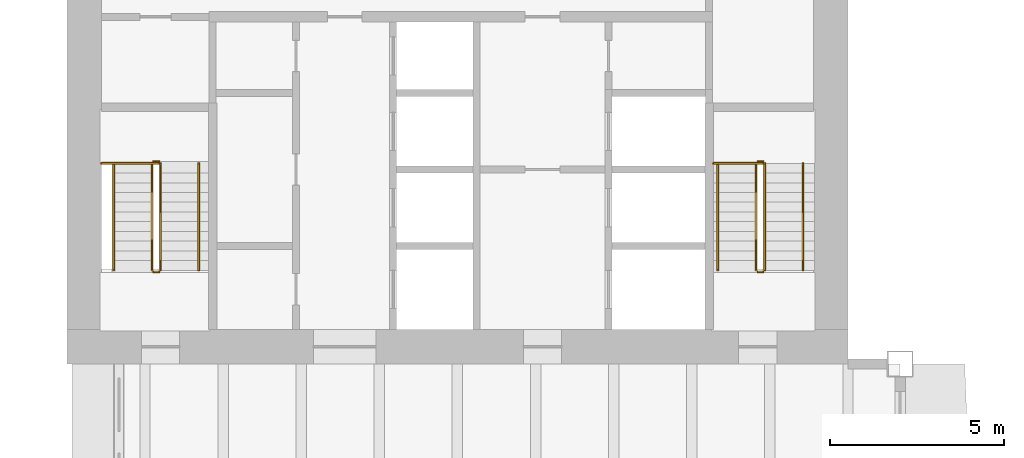
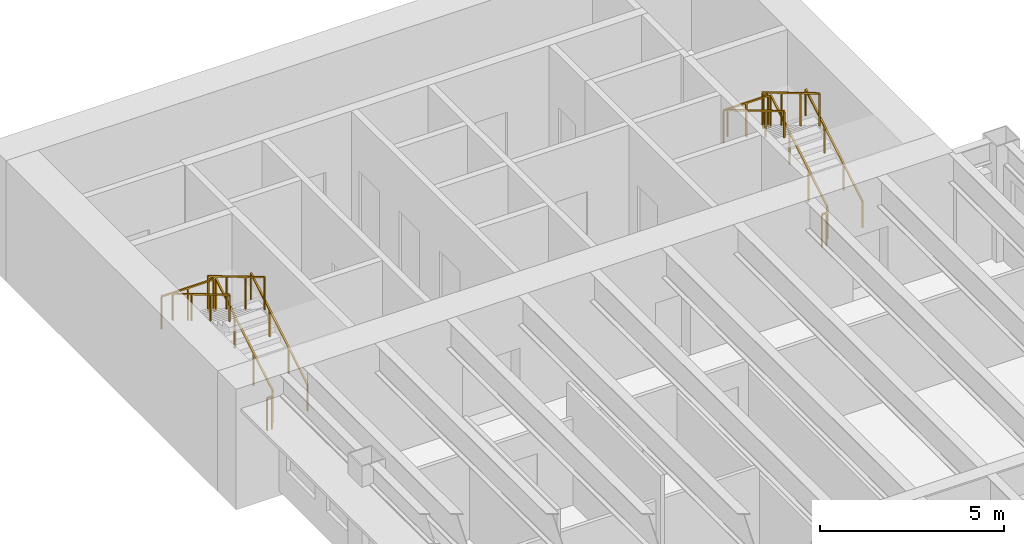
# One storey, part 16 of 16: 14 railings.
"""IFC4 building model written with IfcOpenShell, lengths in metres."""

from ifc_helpers import new_model, si_unit, direction, frame, origin, origin_2d, place, context, subcontext, project, spatial, rectangle, extrude, material, type_object, element, save


model = new_model("IFC4")

# Units and contexts
model_context = context("Model", 3, precision=1e-05, world=origin(), true_north=direction((0.0, 1.0)))
body_context = subcontext(model_context, "Body", "Model", "MODEL_VIEW")
ifc_project = project(units=[si_unit("LENGTHUNIT", "METRE"), si_unit("AREAUNIT", "SQUARE_METRE"), si_unit("VOLUMEUNIT", "CUBIC_METRE"), si_unit("PLANEANGLEUNIT", "RADIAN"), si_unit("MASSUNIT", "GRAM", prefix="KILO")], contexts=[model_context])

# Site, building, storey
site_placement = place(None, origin())
site = spatial("IfcSite", under=ifc_project, at=site_placement, CompositionType="ELEMENT")
building_placement = place(site_placement, origin())
building = spatial("IfcBuilding", under=site, at=building_placement, Name="Sennacour Bend Tower", CompositionType="ELEMENT")
storey_placement = place(building_placement, frame((0.0, 0.0, 211.0)))
storey = spatial("IfcBuildingStorey", under=building, at=storey_placement, Name="L48", CompositionType="ELEMENT", Elevation=211.0)

# Railings
ifc_material = material(Name="Stainless steel", Category="steel")
railing_type_1 = type_object("IfcRailingType", Name="RL-GUARD-1100", PredefinedType="GUARDRAIL", material=ifc_material)
railing_1_placement = place(storey_placement, frame((2.699951171875, 38.699951171875, 0.166748046875)))
element("IfcRailing", 1, at=railing_1_placement, inside=storey, type_object=railing_type_1, Name="L48 SB1 stair guard 1", PredefinedType="GUARDRAIL", context=body_context, shape_type="SweptSolid", body=[
    extrude(rectangle(XDim=0.048095703125, YDim=0.048095703125, at=origin_2d()), frame((0.0, 0.0, 1.076171875), z_axis=(0.0, 0.859308565015, 0.511457515432), x_axis=(-1.0, 0.0, 0.0)), (0.0, 0.0, 1.0), 3.58447265625),
    extrude(rectangle(XDim=0.0419921875, YDim=0.0419921875, at=origin_2d()), origin(), (0.0, 0.0, 1.0), 1.052001953125),
    extrude(rectangle(XDim=0.0419921875, YDim=0.0419921875, at=origin_2d()), frame((0.0, 1.026611328125, 0.611083984375)), (0.0, 0.0, 1.0), 1.052001953125),
    extrude(rectangle(XDim=0.0419921875, YDim=0.0419921875, at=origin_2d()), frame((0.0, 2.053466796875, 1.22216796875)), (0.0, 0.0, 1.0), 1.052001953125),
    extrude(rectangle(XDim=0.0419921875, YDim=0.0419921875, at=origin_2d()), frame((0.0, 3.080078125, 1.833251953125)), (0.0, 0.0, 1.0), 1.052001953125),
])
railing_2_placement = place(storey_placement, frame((2.64990234375, 41.830078125, 2.0)))
element("IfcRailing", 2, at=railing_2_placement, inside=storey, type_object=railing_type_1, Name="L48 SB1 stair guard 2", PredefinedType="GUARDRAIL", context=body_context, shape_type="SweptSolid", body=[
    extrude(rectangle(XDim=0.048095703125, YDim=0.048095703125, at=origin_2d()), frame((0.0, 0.0, 1.076171875), z_axis=(-1.0, 0.0, 0.0), x_axis=(0.0, -1.0, 0.0)), (0.0, 0.0, 1.0), 0.14990234375),
    extrude(rectangle(XDim=0.0419921875, YDim=0.0419921875, at=origin_2d()), origin(), (0.0, 0.0, 1.0), 1.052001953125),
    extrude(rectangle(XDim=0.0419921875, YDim=0.0419921875, at=origin_2d()), frame((-0.14990234375, 0.0, 0.0)), (0.0, 0.0, 1.0), 1.052001953125),
])
railing_3_placement = place(storey_placement, frame((2.449951171875, 41.780029296875, 2.166748046875)))
element("IfcRailing", 3, at=railing_3_placement, inside=storey, type_object=railing_type_1, Name="L48 SB1 stair guard 4", PredefinedType="GUARDRAIL", context=body_context, shape_type="SweptSolid", body=[
    extrude(rectangle(XDim=0.048095703125, YDim=0.048095703125, at=origin_2d()), frame((0.0, 0.0, 1.076171875), z_axis=(0.0, -0.859308565015, 0.511457515432), x_axis=(1.0, 0.0, 0.0)), (0.0, 0.0, 1.0), 3.58447265625),
    extrude(rectangle(XDim=0.0419921875, YDim=0.0419921875, at=origin_2d()), origin(), (0.0, 0.0, 1.0), 1.052001953125),
    extrude(rectangle(XDim=0.0419921875, YDim=0.0419921875, at=origin_2d()), frame((0.0, -1.026611328125, 0.611083984375)), (0.0, 0.0, 1.0), 1.052001953125),
    extrude(rectangle(XDim=0.0419921875, YDim=0.0419921875, at=origin_2d()), frame((0.0, -2.053466796875, 1.22216796875)), (0.0, 0.0, 1.0), 1.052001953125),
    extrude(rectangle(XDim=0.0419921875, YDim=0.0419921875, at=origin_2d()), frame((0.0, -3.080078125, 1.833251953125)), (0.0, 0.0, 1.0), 1.052001953125),
])
railing_4_placement = place(storey_placement, frame((2.64990234375, 38.64990234375, 0.0)))
element("IfcRailing", 4, at=railing_4_placement, inside=storey, type_object=railing_type_1, Name="L48 SB1 stair guard 5", PredefinedType="GUARDRAIL", context=body_context, shape_type="SweptSolid", body=[
    extrude(rectangle(XDim=0.048095703125, YDim=0.048095703125, at=origin_2d()), frame((0.0, 0.0, 1.076171875), z_axis=(-1.0, 0.0, 0.0), x_axis=(0.0, -1.0, 0.0)), (0.0, 0.0, 1.0), 0.14990234375),
    extrude(rectangle(XDim=0.0419921875, YDim=0.0419921875, at=origin_2d()), origin(), (0.0, 0.0, 1.0), 1.052001953125),
    extrude(rectangle(XDim=0.0419921875, YDim=0.0419921875, at=origin_2d()), frame((-0.14990234375, 0.0, 0.0)), (0.0, 0.0, 1.0), 1.052001953125),
])
railing_5_placement = place(storey_placement, frame((2.64990234375, 41.780029296875, 2.0)))
element("IfcRailing", 5, at=railing_5_placement, inside=storey, type_object=railing_type_1, Name="L48 SB1 landing edge guard 76", PredefinedType="GUARDRAIL", context=body_context, shape_type="SweptSolid", body=[
    extrude(rectangle(XDim=0.048095703125, YDim=0.048095703125, at=origin_2d()), frame((0.0, 0.0, 1.076171875), z_axis=(-1.0, 0.0, 0.0), x_axis=(0.0, -1.0, 0.0)), (0.0, 0.0, 1.0), 1.64990234375),
    extrude(rectangle(XDim=0.0419921875, YDim=0.0419921875, at=origin_2d()), origin(), (0.0, 0.0, 1.0), 1.052001953125),
    extrude(rectangle(XDim=0.0419921875, YDim=0.0419921875, at=origin_2d()), frame((-0.824951171875, 0.0, 0.0)), (0.0, 0.0, 1.0), 1.052001953125),
    extrude(rectangle(XDim=0.0419921875, YDim=0.0419921875, at=origin_2d()), frame((-1.64990234375, 0.0, 0.0)), (0.0, 0.0, 1.0), 1.052001953125),
])
railing_6_placement = place(storey_placement, frame((20.10009765625, 38.699951171875, 0.166748046875)))
element("IfcRailing", 6, at=railing_6_placement, inside=storey, type_object=railing_type_1, Name="L48 SB2 stair guard 1", PredefinedType="GUARDRAIL", context=body_context, shape_type="SweptSolid", body=[
    extrude(rectangle(XDim=0.048095703125, YDim=0.048095703125, at=origin_2d()), frame((0.0, 0.0, 1.076171875), z_axis=(0.0, 0.859308565015, 0.511457515432), x_axis=(-1.0, 0.0, 0.0)), (0.0, 0.0, 1.0), 3.58447265625),
    extrude(rectangle(XDim=0.0419921875, YDim=0.0419921875, at=origin_2d()), origin(), (0.0, 0.0, 1.0), 1.052001953125),
    extrude(rectangle(XDim=0.0419921875, YDim=0.0419921875, at=origin_2d()), frame((0.0, 1.026611328125, 0.611083984375)), (0.0, 0.0, 1.0), 1.052001953125),
    extrude(rectangle(XDim=0.0419921875, YDim=0.0419921875, at=origin_2d()), frame((0.0, 2.053466796875, 1.22216796875)), (0.0, 0.0, 1.0), 1.052001953125),
    extrude(rectangle(XDim=0.0419921875, YDim=0.0419921875, at=origin_2d()), frame((0.0, 3.080078125, 1.833251953125)), (0.0, 0.0, 1.0), 1.052001953125),
])
railing_7_placement = place(storey_placement, frame((20.050048828125, 41.830078125, 2.0)))
element("IfcRailing", 7, at=railing_7_placement, inside=storey, type_object=railing_type_1, Name="L48 SB2 stair guard 2", PredefinedType="GUARDRAIL", context=body_context, shape_type="SweptSolid", body=[
    extrude(rectangle(XDim=0.048095703125, YDim=0.048095703125, at=origin_2d()), frame((0.0, 0.0, 1.076171875), z_axis=(-1.0, 0.0, 0.0), x_axis=(0.0, -1.0, 0.0)), (0.0, 0.0, 1.0), 0.150146484375),
    extrude(rectangle(XDim=0.0419921875, YDim=0.0419921875, at=origin_2d()), origin(), (0.0, 0.0, 1.0), 1.052001953125),
    extrude(rectangle(XDim=0.0419921875, YDim=0.0419921875, at=origin_2d()), frame((-0.150146484375, 0.0, 0.0)), (0.0, 0.0, 1.0), 1.052001953125),
])
railing_8_placement = place(storey_placement, frame((19.85009765625, 41.780029296875, 2.166748046875)))
element("IfcRailing", 8, at=railing_8_placement, inside=storey, type_object=railing_type_1, Name="L48 SB2 stair guard 4", PredefinedType="GUARDRAIL", context=body_context, shape_type="SweptSolid", body=[
    extrude(rectangle(XDim=0.048095703125, YDim=0.048095703125, at=origin_2d()), frame((0.0, 0.0, 1.076171875), z_axis=(0.0, -0.859308565015, 0.511457515432), x_axis=(1.0, 0.0, 0.0)), (0.0, 0.0, 1.0), 3.58447265625),
    extrude(rectangle(XDim=0.0419921875, YDim=0.0419921875, at=origin_2d()), origin(), (0.0, 0.0, 1.0), 1.052001953125),
    extrude(rectangle(XDim=0.0419921875, YDim=0.0419921875, at=origin_2d()), frame((0.0, -1.026611328125, 0.611083984375)), (0.0, 0.0, 1.0), 1.052001953125),
    extrude(rectangle(XDim=0.0419921875, YDim=0.0419921875, at=origin_2d()), frame((0.0, -2.053466796875, 1.22216796875)), (0.0, 0.0, 1.0), 1.052001953125),
    extrude(rectangle(XDim=0.0419921875, YDim=0.0419921875, at=origin_2d()), frame((0.0, -3.080078125, 1.833251953125)), (0.0, 0.0, 1.0), 1.052001953125),
])
railing_9_placement = place(storey_placement, frame((20.050048828125, 38.64990234375, 0.0)))
element("IfcRailing", 9, at=railing_9_placement, inside=storey, type_object=railing_type_1, Name="L48 SB2 stair guard 5", PredefinedType="GUARDRAIL", context=body_context, shape_type="SweptSolid", body=[
    extrude(rectangle(XDim=0.048095703125, YDim=0.048095703125, at=origin_2d()), frame((0.0, 0.0, 1.076171875), z_axis=(-1.0, 0.0, 0.0), x_axis=(0.0, -1.0, 0.0)), (0.0, 0.0, 1.0), 0.150146484375),
    extrude(rectangle(XDim=0.0419921875, YDim=0.0419921875, at=origin_2d()), origin(), (0.0, 0.0, 1.0), 1.052001953125),
    extrude(rectangle(XDim=0.0419921875, YDim=0.0419921875, at=origin_2d()), frame((-0.150146484375, 0.0, 0.0)), (0.0, 0.0, 1.0), 1.052001953125),
])
railing_10_placement = place(storey_placement, frame((20.050048828125, 41.780029296875, 2.0)))
element("IfcRailing", 10, at=railing_10_placement, inside=storey, type_object=railing_type_1, Name="L48 SB2 landing edge guard 65", PredefinedType="GUARDRAIL", context=body_context, shape_type="SweptSolid", body=[
    extrude(rectangle(XDim=0.048095703125, YDim=0.048095703125, at=origin_2d()), frame((0.0, 0.0, 1.076171875), z_axis=(-1.0, 0.0, 0.0), x_axis=(0.0, -1.0, 0.0)), (0.0, 0.0, 1.0), 1.425048828125),
    extrude(rectangle(XDim=0.0419921875, YDim=0.0419921875, at=origin_2d()), origin(), (0.0, 0.0, 1.0), 1.052001953125),
    extrude(rectangle(XDim=0.0419921875, YDim=0.0419921875, at=origin_2d()), frame((-0.71240234375, 0.0, 0.0)), (0.0, 0.0, 1.0), 1.052001953125),
    extrude(rectangle(XDim=0.0419921875, YDim=0.0419921875, at=origin_2d()), frame((-1.425048828125, 0.0, 0.0)), (0.0, 0.0, 1.0), 1.052001953125),
])
railing_type_2 = type_object("IfcRailingType", Name="RL-HANDRAIL-900", PredefinedType="HANDRAIL", material=ifc_material)
railing_11_placement = place(storey_placement, frame((3.800048828125, 38.699951171875, 0.166748046875)))
element("IfcRailing", 11, at=railing_11_placement, inside=storey, type_object=railing_type_2, Name="L48 SB1 stair handrail 1", PredefinedType="HANDRAIL", context=body_context, shape_type="SweptSolid", body=[
    extrude(rectangle(XDim=0.048095703125, YDim=0.048095703125, at=origin_2d()), frame((0.0, 0.0, 0.8759765625), z_axis=(0.0, 0.859308565015, 0.511457515432), x_axis=(-1.0, 0.0, 0.0)), (0.0, 0.0, 1.0), 3.58447265625),
    extrude(rectangle(XDim=0.0419921875, YDim=0.0419921875, at=origin_2d()), origin(), (0.0, 0.0, 1.0), 0.851806640625),
    extrude(rectangle(XDim=0.0419921875, YDim=0.0419921875, at=origin_2d()), frame((0.0, 1.026611328125, 0.611083984375)), (0.0, 0.0, 1.0), 0.851806640625),
    extrude(rectangle(XDim=0.0419921875, YDim=0.0419921875, at=origin_2d()), frame((0.0, 2.053466796875, 1.22216796875)), (0.0, 0.0, 1.0), 0.851806640625),
    extrude(rectangle(XDim=0.0419921875, YDim=0.0419921875, at=origin_2d()), frame((0.0, 3.080078125, 1.833251953125)), (0.0, 0.0, 1.0), 0.851806640625),
])
railing_12_placement = place(storey_placement, frame((1.35009765625, 41.780029296875, 2.166748046875)))
element("IfcRailing", 12, at=railing_12_placement, inside=storey, type_object=railing_type_2, Name="L48 SB1 stair handrail 2", PredefinedType="HANDRAIL", context=body_context, shape_type="SweptSolid", body=[
    extrude(rectangle(XDim=0.048095703125, YDim=0.048095703125, at=origin_2d()), frame((0.0, 0.0, 0.8759765625), z_axis=(0.0, -0.859308565015, 0.511457515432), x_axis=(1.0, 0.0, 0.0)), (0.0, 0.0, 1.0), 3.58447265625),
    extrude(rectangle(XDim=0.0419921875, YDim=0.0419921875, at=origin_2d()), origin(), (0.0, 0.0, 1.0), 0.851806640625),
    extrude(rectangle(XDim=0.0419921875, YDim=0.0419921875, at=origin_2d()), frame((0.0, -1.026611328125, 0.611083984375)), (0.0, 0.0, 1.0), 0.851806640625),
    extrude(rectangle(XDim=0.0419921875, YDim=0.0419921875, at=origin_2d()), frame((0.0, -2.053466796875, 1.22216796875)), (0.0, 0.0, 1.0), 0.851806640625),
    extrude(rectangle(XDim=0.0419921875, YDim=0.0419921875, at=origin_2d()), frame((0.0, -3.080078125, 1.833251953125)), (0.0, 0.0, 1.0), 0.851806640625),
])
railing_13_placement = place(storey_placement, frame((21.199951171875, 38.699951171875, 0.166748046875)))
element("IfcRailing", 13, at=railing_13_placement, inside=storey, type_object=railing_type_2, Name="L48 SB2 stair handrail 1", PredefinedType="HANDRAIL", context=body_context, shape_type="SweptSolid", body=[
    extrude(rectangle(XDim=0.048095703125, YDim=0.048095703125, at=origin_2d()), frame((0.0, 0.0, 0.8759765625), z_axis=(0.0, 0.859308565015, 0.511457515432), x_axis=(-1.0, 0.0, 0.0)), (0.0, 0.0, 1.0), 3.58447265625),
    extrude(rectangle(XDim=0.0419921875, YDim=0.0419921875, at=origin_2d()), origin(), (0.0, 0.0, 1.0), 0.851806640625),
    extrude(rectangle(XDim=0.0419921875, YDim=0.0419921875, at=origin_2d()), frame((0.0, 1.026611328125, 0.611083984375)), (0.0, 0.0, 1.0), 0.851806640625),
    extrude(rectangle(XDim=0.0419921875, YDim=0.0419921875, at=origin_2d()), frame((0.0, 2.053466796875, 1.22216796875)), (0.0, 0.0, 1.0), 0.851806640625),
    extrude(rectangle(XDim=0.0419921875, YDim=0.0419921875, at=origin_2d()), frame((0.0, 3.080078125, 1.833251953125)), (0.0, 0.0, 1.0), 0.851806640625),
])
railing_14_placement = place(storey_placement, frame((18.75, 41.780029296875, 2.166748046875)))
element("IfcRailing", 14, at=railing_14_placement, inside=storey, type_object=railing_type_2, Name="L48 SB2 stair handrail 2", PredefinedType="HANDRAIL", context=body_context, shape_type="SweptSolid", body=[
    extrude(rectangle(XDim=0.048095703125, YDim=0.048095703125, at=origin_2d()), frame((0.0, 0.0, 0.8759765625), z_axis=(0.0, -0.859308565015, 0.511457515432), x_axis=(1.0, 0.0, 0.0)), (0.0, 0.0, 1.0), 3.58447265625),
    extrude(rectangle(XDim=0.0419921875, YDim=0.0419921875, at=origin_2d()), origin(), (0.0, 0.0, 1.0), 0.851806640625),
    extrude(rectangle(XDim=0.0419921875, YDim=0.0419921875, at=origin_2d()), frame((0.0, -1.026611328125, 0.611083984375)), (0.0, 0.0, 1.0), 0.851806640625),
    extrude(rectangle(XDim=0.0419921875, YDim=0.0419921875, at=origin_2d()), frame((0.0, -2.053466796875, 1.22216796875)), (0.0, 0.0, 1.0), 0.851806640625),
    extrude(rectangle(XDim=0.0419921875, YDim=0.0419921875, at=origin_2d()), frame((0.0, -3.080078125, 1.833251953125)), (0.0, 0.0, 1.0), 0.851806640625),
])

save(model, "model.ifc")
